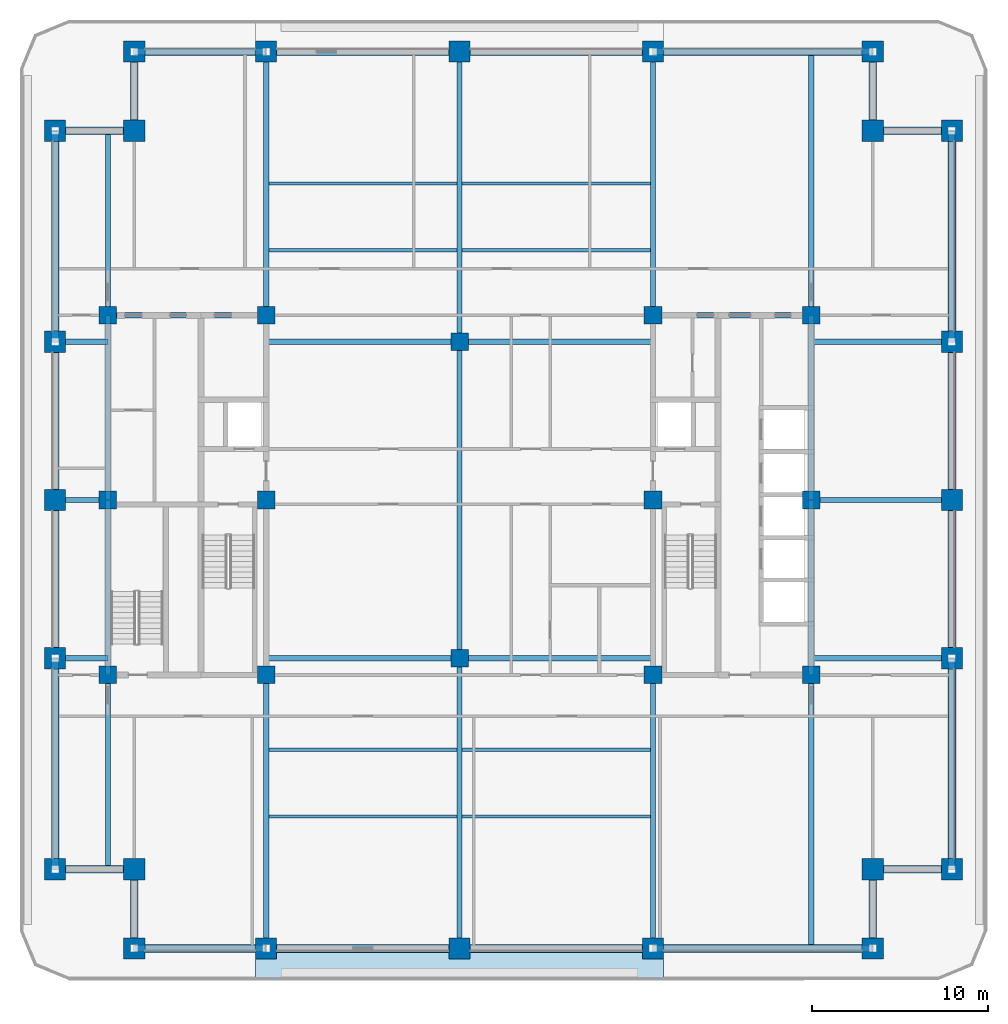
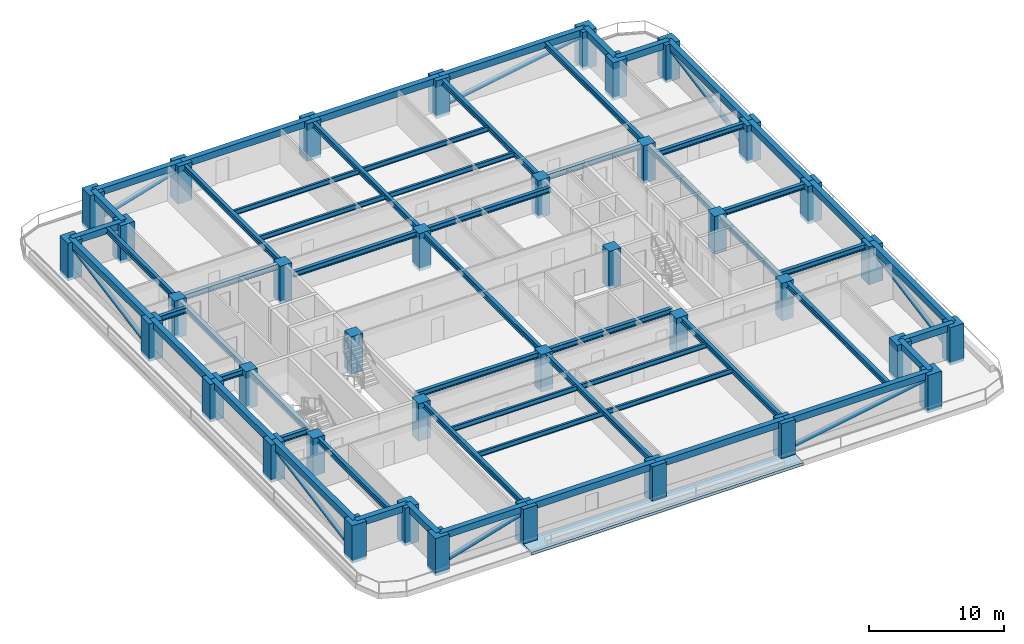
# One storey, part 1 of 13: 59 beams, 38 columns, 8 members, 1 slab.
"""IFC4 building model written with IfcOpenShell, lengths in metres."""

from ifc_helpers import new_model, si_unit, direction, frame, origin, origin_2d, place, context, subcontext, project, spatial, polyline, rectangle, hollow_circle, i_section, outline, extrude, material, layer, layer_set, material_profile, profile_set, type_object, element, save


model = new_model("IFC4")

# Units and contexts
model_context = context("Model", 3, precision=1e-05, world=origin(), true_north=direction((0.0, 1.0)))
body_context = subcontext(model_context, "Body", "Model", "MODEL_VIEW")
ifc_project = project(units=[si_unit("LENGTHUNIT", "METRE"), si_unit("AREAUNIT", "SQUARE_METRE"), si_unit("VOLUMEUNIT", "CUBIC_METRE"), si_unit("PLANEANGLEUNIT", "RADIAN"), si_unit("MASSUNIT", "GRAM", prefix="KILO")], contexts=[model_context])

# Site, building, storey
site_placement = place(None, origin())
site = spatial("IfcSite", under=ifc_project, at=site_placement, CompositionType="ELEMENT")
building_placement = place(site_placement, origin())
building = spatial("IfcBuilding", under=site, at=building_placement, Name="Zulmaris Gate Convention Tower", CompositionType="ELEMENT")
storey_placement = place(building_placement, frame((0.0, 0.0, 112.780029296875)))
storey = spatial("IfcBuildingStorey", under=building, at=storey_placement, Name="L28", CompositionType="ELEMENT", Elevation=112.780029296875)

# Columns
ifc_material_1 = material(Name="Concrete C60/75", Category="concrete")
ifc_material_profile_1 = material_profile(ifc_material_1, rectangle(XDim=1.0, YDim=1.0, at=origin_2d()), Name="RC COL 1000x1000")
ifc_profile_set_1 = profile_set([ifc_material_profile_1], Name="Concrete C60/75")
column_type_1 = type_object("IfcColumnType", Name="COL-RC1000", PredefinedType="COLUMN", material=ifc_profile_set_1)
for number, where, z_axis, x_axis, name in (
    (1, (-20.0, -9.949951171875, -0.25), (0.0, 0.0, 1.0), (1.0, 0.0, 0.0), "L28 Column IN--20.00_-9.95"),
    (2, (-20.0, 10.5, -0.25), (0.0, 0.0, 1.0), (1.0, 0.0, 0.0), "L28 Column IN--20.00_+10.50"),
    (3, (-11.0, -9.949951171875, -0.25), (0.0, 0.0, 1.0), (1.0, 0.0, 0.0), "L28 Column IN--11.00_-9.95"),
    (4, (-11.0, 0.0, -0.25), (0.0, 0.0, 1.0), (1.0, 0.0, 0.0), "L28 Column IN--11.00_+0.00"),
    (5, (-11.0, 10.5, -0.25), (0.0, 0.0, 1.0), (1.0, 0.0, 0.0), "L28 Column IN--11.00_+10.50"),
    (6, (11.0, -9.949951171875, -0.25), (0.0, 0.0, 1.0), (1.0, 0.0, 0.0), "L28 Column IN-+11.00_-9.95"),
    (7, (11.0, 0.0, -0.25), (0.0, 0.0, 1.0), (1.0, 0.0, 0.0), "L28 Column IN-+11.00_+0.00"),
    (8, (11.0, 10.5, -0.25), (0.0, 0.0, 1.0), (1.0, 0.0, 0.0), "L28 Column IN-+11.00_+10.50"),
    (9, (20.0, -9.949951171875, -0.25), (0.0, 0.0, 1.0), (1.0, 0.0, 0.0), "L28 Column IN-+20.00_-9.95"),
    (10, (20.0, 10.5, -0.25), (0.0, 0.0, 1.0), (1.0, 0.0, 0.0), "L28 Column IN-+20.00_+10.50"),
    (11, (0.0, -9.0, -0.25), (0.0, 0.0, 1.0), (1.0, 0.0, 0.0), "L28 Column IN-+0.00_-9.00"),
    (12, (0.0, 9.0, -0.25), (0.0, 0.0, 1.0), (1.0, 0.0, 0.0), "L28 Column IN-+0.00_+9.00"),
    (13, (-20.0, 0.0, -0.25), (0.0, 0.0, 1.0), (1.0, 0.0, 0.0), "L28 Column IN--20.00_+0.00"),
    (14, (20.0, 0.0, -0.25), (0.0, 0.0, 1.0), (1.0, 0.0, 0.0), "L28 Column IN-+20.00_+0.00"),
):
    element("IfcColumn", number, at=place(storey_placement, frame(where, z_axis=z_axis, x_axis=x_axis)), inside=storey, type_object=column_type_1, Name=name, PredefinedType="COLUMN", context=body_context, shape_type="SweptSolid", body=[
        extrude(rectangle(XDim=1.0, YDim=1.0, at=origin_2d()), origin(), (0.0, 0.0, 1.0), 3.394775390625),
    ])
ifc_material_2 = material(Name="Concrete C70/85", Category="concrete")
ifc_material_profile_2 = material_profile(ifc_material_2, rectangle(XDim=1.199951171875, YDim=1.199951171875, at=origin_2d()), Name="RC COL 1200x1200")
ifc_profile_set_2 = profile_set([ifc_material_profile_2], Name="Concrete C70/85")
column_type_2 = type_object("IfcColumnType", Name="COL-RC1200", PredefinedType="COLUMN", material=ifc_profile_set_2)
for number, where, z_axis, x_axis, name in (
    (15, (-18.5, -25.5, -0.25), (0.0, 0.0, 1.0), (1.0, 0.0, 0.0), "L28 Column PT--18.50_-25.50"),
    (16, (-11.0, -25.5, -0.25), (0.0, 0.0, 1.0), (1.0, 0.0, 0.0), "L28 Column PT--11.00_-25.50"),
    (17, (0.0, -25.5, -0.25), (0.0, 0.0, 1.0), (1.0, 0.0, 0.0), "L28 Column PT-+0.00_-25.50"),
    (18, (11.0, -25.5, -0.25), (0.0, 0.0, 1.0), (1.0, 0.0, 0.0), "L28 Column PT-+11.00_-25.50"),
    (19, (23.5, -25.5, -0.25), (0.0, 0.0, 1.0), (1.0, 0.0, 0.0), "L28 Column PT-+23.50_-25.50"),
    (20, (-18.5, 25.5, -0.25), (0.0, 0.0, 1.0), (1.0, 0.0, 0.0), "L28 Column PT--18.50_+25.50"),
    (21, (-11.0, 25.5, -0.25), (0.0, 0.0, 1.0), (1.0, 0.0, 0.0), "L28 Column PT--11.00_+25.50"),
    (22, (0.0, 25.5, -0.25), (0.0, 0.0, 1.0), (1.0, 0.0, 0.0), "L28 Column PT-+0.00_+25.50"),
    (23, (11.0, 25.5, -0.25), (0.0, 0.0, 1.0), (1.0, 0.0, 0.0), "L28 Column PT-+11.00_+25.50"),
    (24, (23.5, 25.5, -0.25), (0.0, 0.0, 1.0), (1.0, 0.0, 0.0), "L28 Column PT-+23.50_+25.50"),
    (25, (-23.0, -21.0, -0.25), (0.0, 0.0, 1.0), (1.0, 0.0, 0.0), "L28 Column PT--23.00_-21.00"),
    (26, (-23.0, -9.0, -0.25), (0.0, 0.0, 1.0), (1.0, 0.0, 0.0), "L28 Column PT--23.00_-9.00"),
    (27, (-23.0, 0.0, -0.25), (0.0, 0.0, 1.0), (1.0, 0.0, 0.0), "L28 Column PT--23.00_+0.00"),
    (28, (-23.0, 9.0, -0.25), (0.0, 0.0, 1.0), (1.0, 0.0, 0.0), "L28 Column PT--23.00_+9.00"),
    (29, (-23.0, 21.0, -0.25), (0.0, 0.0, 1.0), (1.0, 0.0, 0.0), "L28 Column PT--23.00_+21.00"),
    (30, (28.0, -21.0, -0.25), (0.0, 0.0, 1.0), (1.0, 0.0, 0.0), "L28 Column PT-+28.00_-21.00"),
    (31, (28.0, -9.0, -0.25), (0.0, 0.0, 1.0), (1.0, 0.0, 0.0), "L28 Column PT-+28.00_-9.00"),
    (32, (28.0, 0.0, -0.25), (0.0, 0.0, 1.0), (1.0, 0.0, 0.0), "L28 Column PT-+28.00_+0.00"),
    (33, (28.0, 9.0, -0.25), (0.0, 0.0, 1.0), (1.0, 0.0, 0.0), "L28 Column PT-+28.00_+9.00"),
    (34, (28.0, 21.0, -0.25), (0.0, 0.0, 1.0), (1.0, 0.0, 0.0), "L28 Column PT-+28.00_+21.00"),
    (35, (-18.5, -21.0, -0.25), (0.0, 0.0, 1.0), (1.0, 0.0, 0.0), "L28 Column PT--18.50_-21.00"),
    (36, (23.5, -21.0, -0.25), (0.0, 0.0, 1.0), (1.0, 0.0, 0.0), "L28 Column PT-+23.50_-21.00"),
    (37, (23.5, 21.0, -0.25), (0.0, 0.0, 1.0), (1.0, 0.0, 0.0), "L28 Column PT-+23.50_+21.00"),
    (38, (-18.5, 21.0, -0.25), (0.0, 0.0, 1.0), (1.0, 0.0, 0.0), "L28 Column PT--18.50_+21.00"),
):
    element("IfcColumn", number, at=place(storey_placement, frame(where, z_axis=z_axis, x_axis=x_axis)), inside=storey, type_object=column_type_2, Name=name, PredefinedType="COLUMN", context=body_context, shape_type="SweptSolid", body=[
        extrude(rectangle(XDim=1.199951171875, YDim=1.199951171875, at=origin_2d()), origin(), (0.0, 0.0, 1.0), 3.394775390625),
    ])

# Beams
ifc_material_3 = material(Name="Steel S355", Category="steel")
ifc_material_profile_3 = material_profile(ifc_material_3, i_section(OverallWidth=0.300048828125, OverallDepth=0.5, WebThickness=0.014404296875, FlangeThickness=0.028076171875, FilletRadius=0.027099609375, at=origin_2d()), Name="HEB 500")
ifc_profile_set_3 = profile_set([ifc_material_profile_3], Name="Steel S355")
beam_type_1 = type_object("IfcBeamType", Name="BM-HEB500", PredefinedType="BEAM", material=ifc_profile_set_3)
for number, where, z_axis, x_axis, name in (
    (39, (-11.0, -9.0, 2.892822265625), (1.0, 0.0, 0.0), (0.0, 1.0, 0.0), "L28 Beam BM-L28-G01"),
    (40, (0.0, -9.0, 2.892822265625), (1.0, 0.0, 0.0), (0.0, 1.0, 0.0), "L28 Beam BM-L28-G02"),
    (41, (-11.0, 9.0, 2.892822265625), (1.0, 0.0, 0.0), (0.0, 1.0, 0.0), "L28 Beam BM-L28-G03"),
    (42, (0.0, 9.0, 2.892822265625), (1.0, 0.0, 0.0), (0.0, 1.0, 0.0), "L28 Beam BM-L28-G04"),
):
    element("IfcBeam", number, at=place(storey_placement, frame(where, z_axis=z_axis, x_axis=x_axis)), inside=storey, type_object=beam_type_1, Name=name, PredefinedType="BEAM", context=body_context, shape_type="SweptSolid", body=[
        extrude(i_section(OverallWidth=0.300048828125, OverallDepth=0.5, WebThickness=0.014404296875, FlangeThickness=0.028076171875, FilletRadius=0.027099609375, at=origin_2d()), origin(), (0.0, 0.0, 1.0), 11.0),
    ])
beam_1_placement = place(storey_placement, frame((0.0, -25.5, 2.892822265625), z_axis=(0.0, 1.0, 0.0), x_axis=(-1.0, 0.0, 0.0)))
element("IfcBeam", 43, at=beam_1_placement, inside=storey, type_object=beam_type_1, Name="L28 Beam BM-L28-G05", PredefinedType="BEAM", context=body_context, shape_type="SweptSolid", body=[
    extrude(i_section(OverallWidth=0.300048828125, OverallDepth=0.5, WebThickness=0.014404296875, FlangeThickness=0.028076171875, FilletRadius=0.027099609375, at=origin_2d()), origin(), (0.0, 0.0, 1.0), 16.5),
])
beam_2_placement = place(storey_placement, frame((0.0, -9.0, 2.892822265625), z_axis=(0.0, 1.0, 0.0), x_axis=(-1.0, 0.0, 0.0)))
element("IfcBeam", 44, at=beam_2_placement, inside=storey, type_object=beam_type_1, Name="L28 Beam BM-L28-G06", PredefinedType="BEAM", context=body_context, shape_type="SweptSolid", body=[
    extrude(i_section(OverallWidth=0.300048828125, OverallDepth=0.5, WebThickness=0.014404296875, FlangeThickness=0.028076171875, FilletRadius=0.027099609375, at=origin_2d()), origin(), (0.0, 0.0, 1.0), 18.0),
])
beam_3_placement = place(storey_placement, frame((0.0, 9.0, 2.892822265625), z_axis=(0.0, 1.0, 0.0), x_axis=(-1.0, 0.0, 0.0)))
element("IfcBeam", 45, at=beam_3_placement, inside=storey, type_object=beam_type_1, Name="L28 Beam BM-L28-G07", PredefinedType="BEAM", context=body_context, shape_type="SweptSolid", body=[
    extrude(i_section(OverallWidth=0.300048828125, OverallDepth=0.5, WebThickness=0.014404296875, FlangeThickness=0.028076171875, FilletRadius=0.027099609375, at=origin_2d()), origin(), (0.0, 0.0, 1.0), 16.5),
])
beam_4_placement = place(storey_placement, frame((-11.0, -25.5, 2.892822265625), z_axis=(0.0, 1.0, 0.0), x_axis=(-1.0, 0.0, 0.0)))
element("IfcBeam", 46, at=beam_4_placement, inside=storey, type_object=beam_type_1, Name="L28 Beam BM-L28-G08", PredefinedType="BEAM", context=body_context, shape_type="SweptSolid", body=[
    extrude(i_section(OverallWidth=0.300048828125, OverallDepth=0.5, WebThickness=0.014404296875, FlangeThickness=0.028076171875, FilletRadius=0.027099609375, at=origin_2d()), origin(), (0.0, 0.0, 1.0), 15.550048828125),
])
beam_5_placement = place(storey_placement, frame((-11.0, 10.5, 2.892822265625), z_axis=(0.0, 1.0, 0.0), x_axis=(-1.0, 0.0, 0.0)))
element("IfcBeam", 47, at=beam_5_placement, inside=storey, type_object=beam_type_1, Name="L28 Beam BM-L28-G09", PredefinedType="BEAM", context=body_context, shape_type="SweptSolid", body=[
    extrude(i_section(OverallWidth=0.300048828125, OverallDepth=0.5, WebThickness=0.014404296875, FlangeThickness=0.028076171875, FilletRadius=0.027099609375, at=origin_2d()), origin(), (0.0, 0.0, 1.0), 15.0),
])
beam_6_placement = place(storey_placement, frame((11.0, -25.5, 2.892822265625), z_axis=(0.0, 1.0, 0.0), x_axis=(-1.0, 0.0, 0.0)))
element("IfcBeam", 48, at=beam_6_placement, inside=storey, type_object=beam_type_1, Name="L28 Beam BM-L28-G10", PredefinedType="BEAM", context=body_context, shape_type="SweptSolid", body=[
    extrude(i_section(OverallWidth=0.300048828125, OverallDepth=0.5, WebThickness=0.014404296875, FlangeThickness=0.028076171875, FilletRadius=0.027099609375, at=origin_2d()), origin(), (0.0, 0.0, 1.0), 15.550048828125),
])
beam_7_placement = place(storey_placement, frame((11.0, 10.5, 2.892822265625), z_axis=(0.0, 1.0, 0.0), x_axis=(-1.0, 0.0, 0.0)))
element("IfcBeam", 49, at=beam_7_placement, inside=storey, type_object=beam_type_1, Name="L28 Beam BM-L28-G11", PredefinedType="BEAM", context=body_context, shape_type="SweptSolid", body=[
    extrude(i_section(OverallWidth=0.300048828125, OverallDepth=0.5, WebThickness=0.014404296875, FlangeThickness=0.028076171875, FilletRadius=0.027099609375, at=origin_2d()), origin(), (0.0, 0.0, 1.0), 15.0),
])
beam_8_placement = place(storey_placement, frame((-20.0, -21.0, 2.892822265625), z_axis=(0.0, 1.0, 0.0), x_axis=(-1.0, 0.0, 0.0)))
element("IfcBeam", 50, at=beam_8_placement, inside=storey, type_object=beam_type_1, Name="L28 Beam BM-L28-G12", PredefinedType="BEAM", context=body_context, shape_type="SweptSolid", body=[
    extrude(i_section(OverallWidth=0.300048828125, OverallDepth=0.5, WebThickness=0.014404296875, FlangeThickness=0.028076171875, FilletRadius=0.027099609375, at=origin_2d()), origin(), (0.0, 0.0, 1.0), 11.050048828125),
])
beam_9_placement = place(storey_placement, frame((-20.0, 10.5, 2.892822265625), z_axis=(0.0, 1.0, 0.0), x_axis=(-1.0, 0.0, 0.0)))
element("IfcBeam", 51, at=beam_9_placement, inside=storey, type_object=beam_type_1, Name="L28 Beam BM-L28-G13", PredefinedType="BEAM", context=body_context, shape_type="SweptSolid", body=[
    extrude(i_section(OverallWidth=0.300048828125, OverallDepth=0.5, WebThickness=0.014404296875, FlangeThickness=0.028076171875, FilletRadius=0.027099609375, at=origin_2d()), origin(), (0.0, 0.0, 1.0), 10.5),
])
beam_10_placement = place(storey_placement, frame((20.0, -25.5, 2.892822265625), z_axis=(0.0, 1.0, 0.0), x_axis=(-1.0, 0.0, 0.0)))
element("IfcBeam", 52, at=beam_10_placement, inside=storey, type_object=beam_type_1, Name="L28 Beam BM-L28-G14", PredefinedType="BEAM", context=body_context, shape_type="SweptSolid", body=[
    extrude(i_section(OverallWidth=0.300048828125, OverallDepth=0.5, WebThickness=0.014404296875, FlangeThickness=0.028076171875, FilletRadius=0.027099609375, at=origin_2d()), origin(), (0.0, 0.0, 1.0), 15.550048828125),
])
beam_11_placement = place(storey_placement, frame((20.0, 10.5, 2.892822265625), z_axis=(0.0, 1.0, 0.0), x_axis=(-1.0, 0.0, 0.0)))
element("IfcBeam", 53, at=beam_11_placement, inside=storey, type_object=beam_type_1, Name="L28 Beam BM-L28-G15", PredefinedType="BEAM", context=body_context, shape_type="SweptSolid", body=[
    extrude(i_section(OverallWidth=0.300048828125, OverallDepth=0.5, WebThickness=0.014404296875, FlangeThickness=0.028076171875, FilletRadius=0.027099609375, at=origin_2d()), origin(), (0.0, 0.0, 1.0), 15.0),
])
for number, where, z_axis, x_axis, name in (
    (54, (-23.0, -9.0, 2.892822265625), (1.0, 0.0, 0.0), (0.0, 1.0, 0.0), "L28 Beam BM-L28-G16"),
    (55, (-23.0, 0.0, 2.892822265625), (1.0, 0.0, 0.0), (0.0, 1.0, 0.0), "L28 Beam BM-L28-G17"),
    (56, (-23.0, 9.0, 2.892822265625), (1.0, 0.0, 0.0), (0.0, 1.0, 0.0), "L28 Beam BM-L28-G18"),
):
    element("IfcBeam", number, at=place(storey_placement, frame(where, z_axis=z_axis, x_axis=x_axis)), inside=storey, type_object=beam_type_1, Name=name, PredefinedType="BEAM", context=body_context, shape_type="SweptSolid", body=[
        extrude(i_section(OverallWidth=0.300048828125, OverallDepth=0.5, WebThickness=0.014404296875, FlangeThickness=0.028076171875, FilletRadius=0.027099609375, at=origin_2d()), origin(), (0.0, 0.0, 1.0), 3.0),
    ])
for number, where, z_axis, x_axis, name in (
    (57, (20.0, -9.0, 2.892822265625), (1.0, 0.0, 0.0), (0.0, 1.0, 0.0), "L28 Beam BM-L28-G19"),
    (58, (20.0, 0.0, 2.892822265625), (1.0, 0.0, 0.0), (0.0, 1.0, 0.0), "L28 Beam BM-L28-G20"),
    (59, (20.0, 9.0, 2.892822265625), (1.0, 0.0, 0.0), (0.0, 1.0, 0.0), "L28 Beam BM-L28-G21"),
):
    element("IfcBeam", number, at=place(storey_placement, frame(where, z_axis=z_axis, x_axis=x_axis)), inside=storey, type_object=beam_type_1, Name=name, PredefinedType="BEAM", context=body_context, shape_type="SweptSolid", body=[
        extrude(i_section(OverallWidth=0.300048828125, OverallDepth=0.5, WebThickness=0.014404296875, FlangeThickness=0.028076171875, FilletRadius=0.027099609375, at=origin_2d()), origin(), (0.0, 0.0, 1.0), 8.0),
    ])
for number, where, z_axis, x_axis, name in (
    (60, (-20.0, 10.5, 2.892822265625), (1.0, 0.0, 0.0), (0.0, 1.0, 0.0), "L28 Beam BM-L28-G23"),
    (61, (11.0, 10.5, 2.892822265625), (1.0, 0.0, 0.0), (0.0, 1.0, 0.0), "L28 Beam BM-L28-G25"),
):
    element("IfcBeam", number, at=place(storey_placement, frame(where, z_axis=z_axis, x_axis=x_axis)), inside=storey, type_object=beam_type_1, Name=name, PredefinedType="BEAM", context=body_context, shape_type="SweptSolid", body=[
        extrude(i_section(OverallWidth=0.300048828125, OverallDepth=0.5, WebThickness=0.014404296875, FlangeThickness=0.028076171875, FilletRadius=0.027099609375, at=origin_2d()), origin(), (0.0, 0.0, 1.0), 9.0),
    ])
beam_12_placement = place(storey_placement, frame((-20.0, -9.949951171875, 2.892822265625), z_axis=(0.0, 1.0, 0.0), x_axis=(-1.0, 0.0, 0.0)))
element("IfcBeam", 62, at=beam_12_placement, inside=storey, type_object=beam_type_1, Name="L28 Beam BM-L28-G26", PredefinedType="BEAM", context=body_context, shape_type="SweptSolid", body=[
    extrude(i_section(OverallWidth=0.300048828125, OverallDepth=0.5, WebThickness=0.014404296875, FlangeThickness=0.028076171875, FilletRadius=0.027099609375, at=origin_2d()), origin(), (0.0, 0.0, 1.0), 9.949951171875),
])
beam_13_placement = place(storey_placement, frame((-20.0, 0.0, 2.892822265625), z_axis=(0.0, 1.0, 0.0), x_axis=(-1.0, 0.0, 0.0)))
element("IfcBeam", 63, at=beam_13_placement, inside=storey, type_object=beam_type_1, Name="L28 Beam BM-L28-G27", PredefinedType="BEAM", context=body_context, shape_type="SweptSolid", body=[
    extrude(i_section(OverallWidth=0.300048828125, OverallDepth=0.5, WebThickness=0.014404296875, FlangeThickness=0.028076171875, FilletRadius=0.027099609375, at=origin_2d()), origin(), (0.0, 0.0, 1.0), 10.5),
])
beam_14_placement = place(storey_placement, frame((20.0, -9.949951171875, 2.892822265625), z_axis=(0.0, 1.0, 0.0), x_axis=(-1.0, 0.0, 0.0)))
element("IfcBeam", 64, at=beam_14_placement, inside=storey, type_object=beam_type_1, Name="L28 Beam BM-L28-G28", PredefinedType="BEAM", context=body_context, shape_type="SweptSolid", body=[
    extrude(i_section(OverallWidth=0.300048828125, OverallDepth=0.5, WebThickness=0.014404296875, FlangeThickness=0.028076171875, FilletRadius=0.027099609375, at=origin_2d()), origin(), (0.0, 0.0, 1.0), 9.949951171875),
])
beam_15_placement = place(storey_placement, frame((20.0, 0.0, 2.892822265625), z_axis=(0.0, 1.0, 0.0), x_axis=(-1.0, 0.0, 0.0)))
element("IfcBeam", 65, at=beam_15_placement, inside=storey, type_object=beam_type_1, Name="L28 Beam BM-L28-G29", PredefinedType="BEAM", context=body_context, shape_type="SweptSolid", body=[
    extrude(i_section(OverallWidth=0.300048828125, OverallDepth=0.5, WebThickness=0.014404296875, FlangeThickness=0.028076171875, FilletRadius=0.027099609375, at=origin_2d()), origin(), (0.0, 0.0, 1.0), 10.5),
])
ifc_material_4 = material(Name="Precast concrete C50/60", Category="concrete")
ifc_material_profile_4 = material_profile(ifc_material_4, rectangle(XDim=0.449951171875, YDim=0.60009765625, at=origin_2d()), Name="RC SPANDREL 450x600")
ifc_profile_set_4 = profile_set([ifc_material_profile_4], Name="Precast concrete C50/60")
beam_type_2 = type_object("IfcBeamType", Name="BM-SP450x600", PredefinedType="SPANDREL", material=ifc_profile_set_4)
beam_16_placement = place(storey_placement, frame((-18.5, -25.5, 2.844970703125), z_axis=(1.0, 0.0, 0.0), x_axis=(0.0, 1.0, 0.0)))
element("IfcBeam", 66, at=beam_16_placement, inside=storey, type_object=beam_type_2, Name="L28 Spandrel SP-L28-01", PredefinedType="SPANDREL", context=body_context, shape_type="SweptSolid", body=[
    extrude(rectangle(XDim=0.449951171875, YDim=0.60009765625, at=origin_2d()), origin(), (0.0, 0.0, 1.0), 7.5),
])
for number, where, z_axis, x_axis, name in (
    (67, (-11.0, -25.5, 2.844970703125), (1.0, 0.0, 0.0), (0.0, 1.0, 0.0), "L28 Spandrel SP-L28-02"),
    (68, (0.0, -25.5, 2.844970703125), (1.0, 0.0, 0.0), (0.0, 1.0, 0.0), "L28 Spandrel SP-L28-03"),
):
    element("IfcBeam", number, at=place(storey_placement, frame(where, z_axis=z_axis, x_axis=x_axis)), inside=storey, type_object=beam_type_2, Name=name, PredefinedType="SPANDREL", context=body_context, shape_type="SweptSolid", body=[
        extrude(rectangle(XDim=0.449951171875, YDim=0.60009765625, at=origin_2d()), origin(), (0.0, 0.0, 1.0), 11.0),
    ])
beam_17_placement = place(storey_placement, frame((11.0, -25.5, 2.844970703125), z_axis=(1.0, 0.0, 0.0), x_axis=(0.0, 1.0, 0.0)))
element("IfcBeam", 69, at=beam_17_placement, inside=storey, type_object=beam_type_2, Name="L28 Spandrel SP-L28-04", PredefinedType="SPANDREL", context=body_context, shape_type="SweptSolid", body=[
    extrude(rectangle(XDim=0.449951171875, YDim=0.60009765625, at=origin_2d()), origin(), (0.0, 0.0, 1.0), 12.5),
])
for number, where, z_axis, x_axis, name in (
    (70, (23.5, -25.5, 2.844970703125), (0.0, 1.0, 0.0), (-1.0, 0.0, 0.0), "L28 Spandrel SP-L28-05"),
    (71, (23.5, -21.0, 2.844970703125), (1.0, 0.0, 0.0), (0.0, 1.0, 0.0), "L28 Spandrel SP-L28-06"),
):
    element("IfcBeam", number, at=place(storey_placement, frame(where, z_axis=z_axis, x_axis=x_axis)), inside=storey, type_object=beam_type_2, Name=name, PredefinedType="SPANDREL", context=body_context, shape_type="SweptSolid", body=[
        extrude(rectangle(XDim=0.449951171875, YDim=0.60009765625, at=origin_2d()), origin(), (0.0, 0.0, 1.0), 4.5),
    ])
beam_18_placement = place(storey_placement, frame((28.0, -21.0, 2.844970703125), z_axis=(0.0, 1.0, 0.0), x_axis=(-1.0, 0.0, 0.0)))
element("IfcBeam", 72, at=beam_18_placement, inside=storey, type_object=beam_type_2, Name="L28 Spandrel SP-L28-07", PredefinedType="SPANDREL", context=body_context, shape_type="SweptSolid", body=[
    extrude(rectangle(XDim=0.449951171875, YDim=0.60009765625, at=origin_2d()), origin(), (0.0, 0.0, 1.0), 12.0),
])
for number, where, z_axis, x_axis, name in (
    (73, (28.0, -9.0, 2.844970703125), (0.0, 1.0, 0.0), (-1.0, 0.0, 0.0), "L28 Spandrel SP-L28-08"),
    (74, (28.0, 0.0, 2.844970703125), (0.0, 1.0, 0.0), (-1.0, 0.0, 0.0), "L28 Spandrel SP-L28-09"),
):
    element("IfcBeam", number, at=place(storey_placement, frame(where, z_axis=z_axis, x_axis=x_axis)), inside=storey, type_object=beam_type_2, Name=name, PredefinedType="SPANDREL", context=body_context, shape_type="SweptSolid", body=[
        extrude(rectangle(XDim=0.449951171875, YDim=0.60009765625, at=origin_2d()), origin(), (0.0, 0.0, 1.0), 9.0),
    ])
beam_19_placement = place(storey_placement, frame((28.0, 9.0, 2.844970703125), z_axis=(0.0, 1.0, 0.0), x_axis=(-1.0, 0.0, 0.0)))
element("IfcBeam", 75, at=beam_19_placement, inside=storey, type_object=beam_type_2, Name="L28 Spandrel SP-L28-10", PredefinedType="SPANDREL", context=body_context, shape_type="SweptSolid", body=[
    extrude(rectangle(XDim=0.449951171875, YDim=0.60009765625, at=origin_2d()), origin(), (0.0, 0.0, 1.0), 12.0),
])
for number, where, z_axis, x_axis, name in (
    (76, (28.0, 21.0, 2.844970703125), (-1.0, 0.0, 0.0), (0.0, -1.0, 0.0), "L28 Spandrel SP-L28-11"),
    (77, (23.5, 21.0, 2.844970703125), (0.0, 1.0, 0.0), (-1.0, 0.0, 0.0), "L28 Spandrel SP-L28-12"),
):
    element("IfcBeam", number, at=place(storey_placement, frame(where, z_axis=z_axis, x_axis=x_axis)), inside=storey, type_object=beam_type_2, Name=name, PredefinedType="SPANDREL", context=body_context, shape_type="SweptSolid", body=[
        extrude(rectangle(XDim=0.449951171875, YDim=0.60009765625, at=origin_2d()), origin(), (0.0, 0.0, 1.0), 4.5),
    ])
beam_20_placement = place(storey_placement, frame((23.5, 25.5, 2.844970703125), z_axis=(-1.0, 0.0, 0.0), x_axis=(0.0, -1.0, 0.0)))
element("IfcBeam", 78, at=beam_20_placement, inside=storey, type_object=beam_type_2, Name="L28 Spandrel SP-L28-13", PredefinedType="SPANDREL", context=body_context, shape_type="SweptSolid", body=[
    extrude(rectangle(XDim=0.449951171875, YDim=0.60009765625, at=origin_2d()), origin(), (0.0, 0.0, 1.0), 12.5),
])
for number, where, z_axis, x_axis, name in (
    (79, (11.0, 25.5, 2.844970703125), (-1.0, 0.0, 0.0), (0.0, -1.0, 0.0), "L28 Spandrel SP-L28-14"),
    (80, (0.0, 25.5, 2.844970703125), (-1.0, 0.0, 0.0), (0.0, -1.0, 0.0), "L28 Spandrel SP-L28-15"),
):
    element("IfcBeam", number, at=place(storey_placement, frame(where, z_axis=z_axis, x_axis=x_axis)), inside=storey, type_object=beam_type_2, Name=name, PredefinedType="SPANDREL", context=body_context, shape_type="SweptSolid", body=[
        extrude(rectangle(XDim=0.449951171875, YDim=0.60009765625, at=origin_2d()), origin(), (0.0, 0.0, 1.0), 11.0),
    ])
beam_21_placement = place(storey_placement, frame((-11.0, 25.5, 2.844970703125), z_axis=(-1.0, 0.0, 0.0), x_axis=(0.0, -1.0, 0.0)))
element("IfcBeam", 81, at=beam_21_placement, inside=storey, type_object=beam_type_2, Name="L28 Spandrel SP-L28-16", PredefinedType="SPANDREL", context=body_context, shape_type="SweptSolid", body=[
    extrude(rectangle(XDim=0.449951171875, YDim=0.60009765625, at=origin_2d()), origin(), (0.0, 0.0, 1.0), 7.5),
])
for number, where, z_axis, x_axis, name in (
    (82, (-18.5, 25.5, 2.844970703125), (0.0, -1.0, 0.0), (1.0, 0.0, 0.0), "L28 Spandrel SP-L28-17"),
    (83, (-18.5, 21.0, 2.844970703125), (-1.0, 0.0, 0.0), (0.0, -1.0, 0.0), "L28 Spandrel SP-L28-18"),
):
    element("IfcBeam", number, at=place(storey_placement, frame(where, z_axis=z_axis, x_axis=x_axis)), inside=storey, type_object=beam_type_2, Name=name, PredefinedType="SPANDREL", context=body_context, shape_type="SweptSolid", body=[
        extrude(rectangle(XDim=0.449951171875, YDim=0.60009765625, at=origin_2d()), origin(), (0.0, 0.0, 1.0), 4.5),
    ])
beam_22_placement = place(storey_placement, frame((-23.0, 21.0, 2.844970703125), z_axis=(0.0, -1.0, 0.0), x_axis=(1.0, 0.0, 0.0)))
element("IfcBeam", 84, at=beam_22_placement, inside=storey, type_object=beam_type_2, Name="L28 Spandrel SP-L28-19", PredefinedType="SPANDREL", context=body_context, shape_type="SweptSolid", body=[
    extrude(rectangle(XDim=0.449951171875, YDim=0.60009765625, at=origin_2d()), origin(), (0.0, 0.0, 1.0), 12.0),
])
for number, where, z_axis, x_axis, name in (
    (85, (-23.0, 9.0, 2.844970703125), (0.0, -1.0, 0.0), (1.0, 0.0, 0.0), "L28 Spandrel SP-L28-20"),
    (86, (-23.0, 0.0, 2.844970703125), (0.0, -1.0, 0.0), (1.0, 0.0, 0.0), "L28 Spandrel SP-L28-21"),
):
    element("IfcBeam", number, at=place(storey_placement, frame(where, z_axis=z_axis, x_axis=x_axis)), inside=storey, type_object=beam_type_2, Name=name, PredefinedType="SPANDREL", context=body_context, shape_type="SweptSolid", body=[
        extrude(rectangle(XDim=0.449951171875, YDim=0.60009765625, at=origin_2d()), origin(), (0.0, 0.0, 1.0), 9.0),
    ])
beam_23_placement = place(storey_placement, frame((-23.0, -9.0, 2.844970703125), z_axis=(0.0, -1.0, 0.0), x_axis=(1.0, 0.0, 0.0)))
element("IfcBeam", 87, at=beam_23_placement, inside=storey, type_object=beam_type_2, Name="L28 Spandrel SP-L28-22", PredefinedType="SPANDREL", context=body_context, shape_type="SweptSolid", body=[
    extrude(rectangle(XDim=0.449951171875, YDim=0.60009765625, at=origin_2d()), origin(), (0.0, 0.0, 1.0), 12.0),
])
for number, where, z_axis, x_axis, name in (
    (88, (-23.0, -21.0, 2.844970703125), (1.0, 0.0, 0.0), (0.0, 1.0, 0.0), "L28 Spandrel SP-L28-23"),
    (89, (-18.5, -21.0, 2.844970703125), (0.0, -1.0, 0.0), (1.0, 0.0, 0.0), "L28 Spandrel SP-L28-24"),
):
    element("IfcBeam", number, at=place(storey_placement, frame(where, z_axis=z_axis, x_axis=x_axis)), inside=storey, type_object=beam_type_2, Name=name, PredefinedType="SPANDREL", context=body_context, shape_type="SweptSolid", body=[
        extrude(rectangle(XDim=0.449951171875, YDim=0.60009765625, at=origin_2d()), origin(), (0.0, 0.0, 1.0), 4.5),
    ])

# Members
ifc_material_5 = material(Name="Steel S460", Category="steel")
ifc_material_profile_5 = material_profile(ifc_material_5, hollow_circle(Radius=0.203125, WallThickness=0.02001953125, at=origin_2d()), Name="CHS 406.4x20")
ifc_profile_set_5 = profile_set([ifc_material_profile_5], Name="Steel S460")
member_type = type_object("IfcMemberType", Name="BR-CHS406", PredefinedType="BRACE", material=ifc_profile_set_5)
for number, where, z_axis, x_axis, name in (
    (90, (-23.0, -21.0, 0.300048828125), (0.0, 0.98324338074, 0.182297707696), (-1.0, 0.0, 0.0), "L28 Perimeter Tube Diagonal SW-W"),
    (91, (-23.0, 9.0, 0.300048828125), (0.0, 0.98324338074, 0.182297707696), (-1.0, 0.0, 0.0), "L28 Perimeter Tube Diagonal NW-W"),
    (92, (28.0, -21.0, 0.300048828125), (0.0, 0.98324338074, 0.182297707696), (-1.0, 0.0, 0.0), "L28 Perimeter Tube Diagonal SE-E"),
    (93, (28.0, 9.0, 0.300048828125), (0.0, 0.98324338074, 0.182297707696), (-1.0, 0.0, 0.0), "L28 Perimeter Tube Diagonal NE-E"),
):
    element("IfcMember", number, at=place(storey_placement, frame(where, z_axis=z_axis, x_axis=x_axis)), inside=storey, type_object=member_type, Name=name, PredefinedType="BRACE", context=body_context, shape_type="SweptSolid", body=[
        extrude(hollow_circle(Radius=0.203125, WallThickness=0.02001953125, at=origin_2d()), origin(), (0.0, 0.0, 1.0), 12.20458984375),
    ])
member_1_placement = place(storey_placement, frame((-18.5, -25.5, 0.300048828125), z_axis=(0.958706446238, 0.0, 0.284397520982), x_axis=(0.0, 1.0, 0.0)))
element("IfcMember", 94, at=member_1_placement, inside=storey, type_object=member_type, Name="L28 Perimeter Tube Diagonal SW-S", PredefinedType="BRACE", context=body_context, shape_type="SweptSolid", body=[
    extrude(hollow_circle(Radius=0.203125, WallThickness=0.02001953125, at=origin_2d()), origin(), (0.0, 0.0, 1.0), 7.822998046875),
])
member_2_placement = place(storey_placement, frame((11.0, -25.5, 0.300048828125), z_axis=(0.984526772273, 0.0, 0.175234228042), x_axis=(0.0, 1.0, 0.0)))
element("IfcMember", 95, at=member_2_placement, inside=storey, type_object=member_type, Name="L28 Perimeter Tube Diagonal SE-S", PredefinedType="BRACE", context=body_context, shape_type="SweptSolid", body=[
    extrude(hollow_circle(Radius=0.203125, WallThickness=0.02001953125, at=origin_2d()), origin(), (0.0, 0.0, 1.0), 12.696533203125),
])
member_3_placement = place(storey_placement, frame((-18.5, 25.5, 0.300048828125), z_axis=(0.958706446238, 0.0, 0.284397520982), x_axis=(0.0, 1.0, 0.0)))
element("IfcMember", 96, at=member_3_placement, inside=storey, type_object=member_type, Name="L28 Perimeter Tube Diagonal NW-N", PredefinedType="BRACE", context=body_context, shape_type="SweptSolid", body=[
    extrude(hollow_circle(Radius=0.203125, WallThickness=0.02001953125, at=origin_2d()), origin(), (0.0, 0.0, 1.0), 7.822998046875),
])
member_4_placement = place(storey_placement, frame((11.0, 25.5, 0.300048828125), z_axis=(0.984526772273, 0.0, 0.175234228042), x_axis=(0.0, 1.0, 0.0)))
element("IfcMember", 97, at=member_4_placement, inside=storey, type_object=member_type, Name="L28 Perimeter Tube Diagonal NE-N", PredefinedType="BRACE", context=body_context, shape_type="SweptSolid", body=[
    extrude(hollow_circle(Radius=0.203125, WallThickness=0.02001953125, at=origin_2d()), origin(), (0.0, 0.0, 1.0), 12.696533203125),
])

# Beams
ifc_material_profile_6 = material_profile(ifc_material_3, i_section(OverallWidth=0.18994140625, OverallDepth=0.449951171875, WebThickness=0.009521484375, FlangeThickness=0.0146484375, FilletRadius=0.02099609375, at=origin_2d()), Name="IPE 450")
ifc_profile_set_6 = profile_set([ifc_material_profile_6], Name="Steel S355")
beam_type_3 = type_object("IfcBeamType", Name="JT-IPE450", PredefinedType="JOIST", material=ifc_profile_set_6)
for number, where, z_axis, x_axis, name in (
    (98, (-10.85009765625, -18.0, 2.91796875), (1.0, 0.0, 0.0), (0.0, 1.0, 0.0), "L28 Joist JT-L28-CW--18.0"),
    (99, (0.14990234375, -18.0, 2.91796875), (1.0, 0.0, 0.0), (0.0, 1.0, 0.0), "L28 Joist JT-L28-CE--18.0"),
    (100, (-10.85009765625, -14.199951171875, 2.91796875), (1.0, 0.0, 0.0), (0.0, 1.0, 0.0), "L28 Joist JT-L28-CW--14.2"),
    (101, (0.14990234375, -14.199951171875, 2.91796875), (1.0, 0.0, 0.0), (0.0, 1.0, 0.0), "L28 Joist JT-L28-CE--14.2"),
    (102, (-10.85009765625, 14.199951171875, 2.91796875), (1.0, 0.0, 0.0), (0.0, 1.0, 0.0), "L28 Joist JT-L28-CW-+14.2"),
    (103, (0.14990234375, 14.199951171875, 2.91796875), (1.0, 0.0, 0.0), (0.0, 1.0, 0.0), "L28 Joist JT-L28-CE-+14.2"),
    (104, (-10.85009765625, 18.0, 2.91796875), (1.0, 0.0, 0.0), (0.0, 1.0, 0.0), "L28 Joist JT-L28-CW-+18.0"),
    (105, (0.14990234375, 18.0, 2.91796875), (1.0, 0.0, 0.0), (0.0, 1.0, 0.0), "L28 Joist JT-L28-CE-+18.0"),
):
    element("IfcBeam", number, at=place(storey_placement, frame(where, z_axis=z_axis, x_axis=x_axis)), inside=storey, type_object=beam_type_3, Name=name, PredefinedType="JOIST", context=body_context, shape_type="SweptSolid", body=[
        extrude(i_section(OverallWidth=0.18994140625, OverallDepth=0.449951171875, WebThickness=0.009521484375, FlangeThickness=0.0146484375, FilletRadius=0.02099609375, at=origin_2d()), origin(), (0.0, 0.0, 1.0), 10.7001953125),
    ])

# Slab
ifc_layer = layer(ifc_material_4, 0.260009765625, Name="Precast concrete C50/60")
ifc_layer_set = layer_set([ifc_layer], Name="Precast concrete C50/60")
slab_type = type_object("IfcSlabType", Name="SL-BAL-260", PredefinedType="FLOOR", material=ifc_layer_set)
slab_placement = place(storey_placement, frame((0.0, 0.0, -0.25)))
element("IfcSlab", 106, at=slab_placement, inside=storey, type_object=slab_type, Name="L28 South Tree-Balcony Planter Slab", PredefinedType="FLOOR", context=body_context, shape_type="SweptSolid", body=[
    extrude(outline(polyline([(-11.597900390625, -27.300048828125), (-11.597900390625, -25.5), (11.597900390625, -25.5), (11.597900390625, -27.300048828125), (-11.597900390625, -27.300048828125)])), origin(), (0.0, 0.0, 1.0), 0.260009765625),
])

save(model, "model.ifc")
